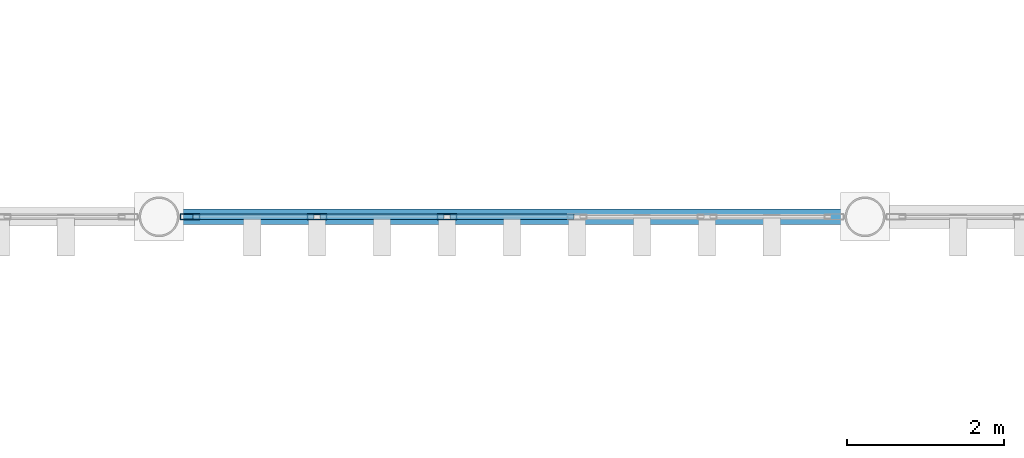
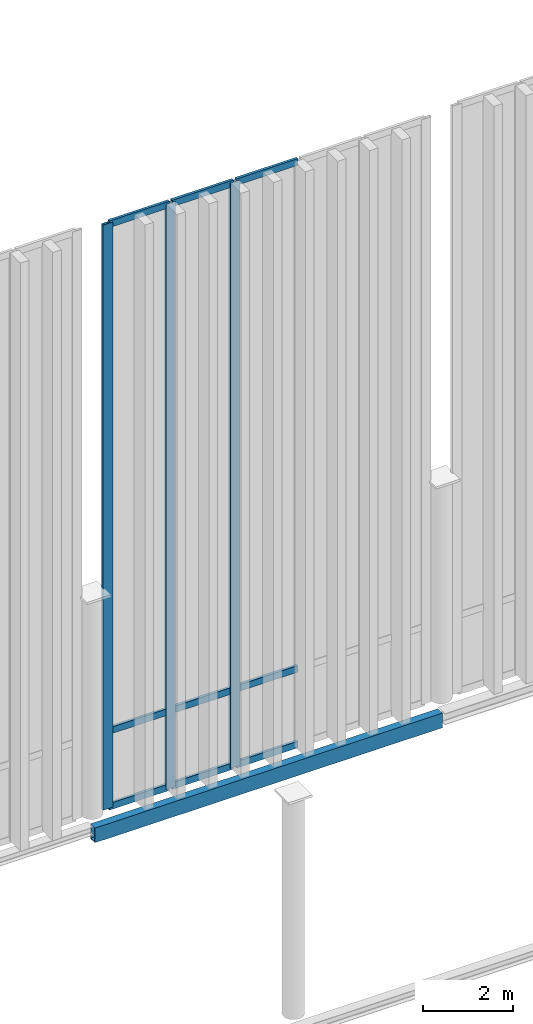
# One storey, part 36 of 237: 12 members, 1 beam, 1 element without a shape of its own.
"""IFC4 building model written with IfcOpenShell, lengths in metres."""

from ifc_helpers import new_model, si_unit, direction, frame, origin, origin_2d, place, context, subcontext, project, spatial, hollow_rectangle, extrude, material, layer, layer_set, material_profile, profile_set, type_object, element, aggregate, save


model = new_model("IFC4")

# Units and contexts
model_context = context("Model", 3, precision=1e-05, world=origin(), true_north=direction((0.0, 1.0)))
body_context = subcontext(model_context, "Body", "Model", "MODEL_VIEW")
ifc_project = project(units=[si_unit("LENGTHUNIT", "METRE"), si_unit("AREAUNIT", "SQUARE_METRE"), si_unit("VOLUMEUNIT", "CUBIC_METRE"), si_unit("PLANEANGLEUNIT", "RADIAN"), si_unit("MASSUNIT", "GRAM", prefix="KILO")], contexts=[model_context])

# Site, building, storey
site_placement = place(None, origin())
site = spatial("IfcSite", under=ifc_project, at=site_placement, CompositionType="ELEMENT")
building_placement = place(site_placement, origin())
building = spatial("IfcBuilding", under=site, at=building_placement, Name="Barlavento Convention Centre", CompositionType="ELEMENT")
storey_placement = place(building_placement, frame((0.0, 0.0, 12.0)))
storey = spatial("IfcBuildingStorey", under=building, at=storey_placement, Name="L02", CompositionType="ELEMENT", Elevation=12.0)

# Curtain wall, members
ifc_material_1 = material(Name="Powder-coated aluminium and Low-E glass", Category="aluminium")
ifc_layer = layer(ifc_material_1, 0.18994140625)
ifc_layer_set = layer_set([ifc_layer], Name="ARC-CW-CONG-L02")
curtain_wall_type = type_object("IfcCurtainWallType", Name="ARC-CW-CONG-L02", PredefinedType="NOTDEFINED", material=ifc_layer_set)
curtain_wall_placement = place(storey_placement, origin())
curtain_wall = element("IfcCurtainWall", 1, at=curtain_wall_placement, inside=storey, type_object=curtain_wall_type, Name="L02 unitised curtain wall CW02", PredefinedType="NOTDEFINED")
ifc_material_2 = material(Name="Powder-coated aluminium", Category="aluminium")
ifc_material_profile_1 = material_profile(ifc_material_2, hollow_rectangle(XDim=0.074951171875, YDim=0.25, WallThickness=0.006103515625, at=origin_2d()), Name="AL-MULL 75x250x6")
ifc_profile_set_1 = profile_set([ifc_material_profile_1], Name="Powder-coated aluminium")
member_type_1 = type_object("IfcMemberType", Name="ARC-CWM-75X250", PredefinedType="MULLION", material=ifc_profile_set_1)
member_1_placement = place(storey_placement, frame((27.396484375, 9.0, 0.0), z_axis=(0.0, 0.0, 1.0), x_axis=(0.0, 1.0, 0.0)))
member_1 = element("IfcMember", 2, at=member_1_placement, type_object=member_type_1, Name="CW02 mullion 1", PredefinedType="MULLION", context=body_context, shape_type="SweptSolid", body=[
    extrude(hollow_rectangle(XDim=0.074951171875, YDim=0.25, WallThickness=0.006103515625, at=origin_2d()), origin(), (0.0, 0.0, 1.0), 15.949951171875),
])
member_2_placement = place(storey_placement, frame((29.015380859375, 9.0, 0.0), z_axis=(0.0, 0.0, 1.0), x_axis=(0.0, 1.0, 0.0)))
member_2 = element("IfcMember", 3, at=member_2_placement, type_object=member_type_1, Name="CW02 mullion 2", PredefinedType="MULLION", context=body_context, shape_type="SweptSolid", body=[
    extrude(hollow_rectangle(XDim=0.074951171875, YDim=0.25, WallThickness=0.006103515625, at=origin_2d()), origin(), (0.0, 0.0, 1.0), 15.949951171875),
])
member_3_placement = place(storey_placement, frame((30.671875, 9.0, 0.0), z_axis=(0.0, 0.0, 1.0), x_axis=(0.0, 1.0, 0.0)))
member_3 = element("IfcMember", 4, at=member_3_placement, type_object=member_type_1, Name="CW02 mullion 3", PredefinedType="MULLION", context=body_context, shape_type="SweptSolid", body=[
    extrude(hollow_rectangle(XDim=0.074951171875, YDim=0.25, WallThickness=0.006103515625, at=origin_2d()), origin(), (0.0, 0.0, 1.0), 15.949951171875),
])
ifc_material_profile_2 = material_profile(ifc_material_2, hollow_rectangle(XDim=0.070068359375, YDim=0.179931640625, WallThickness=0.0048828125, at=origin_2d()), Name="AL-TRAN 70x180x5")
ifc_profile_set_2 = profile_set([ifc_material_profile_2], Name="Powder-coated aluminium")
member_type_2 = type_object("IfcMemberType", Name="ARC-CWT-70X180", PredefinedType="USERDEFINED", material=ifc_profile_set_2)
member_4_placement = place(storey_placement, frame((27.43408203125, 9.0, 0.034912109375), z_axis=(1.0, 0.0, 0.0), x_axis=(0.0, 1.0, 0.0)))
member_4 = element("IfcMember", 5, at=member_4_placement, type_object=member_type_2, Name="CW02 transom 1.1", ObjectType="TRANSOM", PredefinedType="USERDEFINED", context=body_context, shape_type="SweptSolid", body=[
    extrude(hollow_rectangle(XDim=0.070068359375, YDim=0.179931640625, WallThickness=0.0048828125, at=origin_2d()), origin(), (0.0, 0.0, 1.0), 1.543701171875),
])
member_5_placement = place(storey_placement, frame((27.43408203125, 9.0, 2.10009765625), z_axis=(1.0, 0.0, 0.0), x_axis=(0.0, 1.0, 0.0)))
member_5 = element("IfcMember", 6, at=member_5_placement, type_object=member_type_2, Name="CW02 transom 1.2", ObjectType="TRANSOM", PredefinedType="USERDEFINED", context=body_context, shape_type="SweptSolid", body=[
    extrude(hollow_rectangle(XDim=0.070068359375, YDim=0.179931640625, WallThickness=0.0048828125, at=origin_2d()), origin(), (0.0, 0.0, 1.0), 1.543701171875),
])
member_6_placement = place(storey_placement, frame((27.43408203125, 9.0, 15.9150390625), z_axis=(1.0, 0.0, 0.0), x_axis=(0.0, 1.0, 0.0)))
member_6 = element("IfcMember", 7, at=member_6_placement, type_object=member_type_2, Name="CW02 transom 1.3", ObjectType="TRANSOM", PredefinedType="USERDEFINED", context=body_context, shape_type="SweptSolid", body=[
    extrude(hollow_rectangle(XDim=0.070068359375, YDim=0.179931640625, WallThickness=0.0048828125, at=origin_2d()), origin(), (0.0, 0.0, 1.0), 1.543701171875),
])
member_7_placement = place(storey_placement, frame((29.052978515625, 9.0, 0.034912109375), z_axis=(1.0, 0.0, 0.0), x_axis=(0.0, 1.0, 0.0)))
member_7 = element("IfcMember", 8, at=member_7_placement, type_object=member_type_2, Name="CW02 transom 2.1", ObjectType="TRANSOM", PredefinedType="USERDEFINED", context=body_context, shape_type="SweptSolid", body=[
    extrude(hollow_rectangle(XDim=0.070068359375, YDim=0.179931640625, WallThickness=0.0048828125, at=origin_2d()), origin(), (0.0, 0.0, 1.0), 1.581298828125),
])
member_8_placement = place(storey_placement, frame((29.052978515625, 9.0, 2.10009765625), z_axis=(1.0, 0.0, 0.0), x_axis=(0.0, 1.0, 0.0)))
member_8 = element("IfcMember", 9, at=member_8_placement, type_object=member_type_2, Name="CW02 transom 2.2", ObjectType="TRANSOM", PredefinedType="USERDEFINED", context=body_context, shape_type="SweptSolid", body=[
    extrude(hollow_rectangle(XDim=0.070068359375, YDim=0.179931640625, WallThickness=0.0048828125, at=origin_2d()), origin(), (0.0, 0.0, 1.0), 1.581298828125),
])
member_9_placement = place(storey_placement, frame((29.052978515625, 9.0, 15.9150390625), z_axis=(1.0, 0.0, 0.0), x_axis=(0.0, 1.0, 0.0)))
member_9 = element("IfcMember", 10, at=member_9_placement, type_object=member_type_2, Name="CW02 transom 2.3", ObjectType="TRANSOM", PredefinedType="USERDEFINED", context=body_context, shape_type="SweptSolid", body=[
    extrude(hollow_rectangle(XDim=0.070068359375, YDim=0.179931640625, WallThickness=0.0048828125, at=origin_2d()), origin(), (0.0, 0.0, 1.0), 1.581298828125),
])
member_10_placement = place(storey_placement, frame((30.709228515625, 9.0, 0.034912109375), z_axis=(1.0, 0.0, 0.0), x_axis=(0.0, 1.0, 0.0)))
member_10 = element("IfcMember", 11, at=member_10_placement, type_object=member_type_2, Name="CW02 transom 3.1", ObjectType="TRANSOM", PredefinedType="USERDEFINED", context=body_context, shape_type="SweptSolid", body=[
    extrude(hollow_rectangle(XDim=0.070068359375, YDim=0.179931640625, WallThickness=0.0048828125, at=origin_2d()), origin(), (0.0, 0.0, 1.0), 1.58154296875),
])
member_11_placement = place(storey_placement, frame((30.709228515625, 9.0, 2.10009765625), z_axis=(1.0, 0.0, 0.0), x_axis=(0.0, 1.0, 0.0)))
member_11 = element("IfcMember", 12, at=member_11_placement, type_object=member_type_2, Name="CW02 transom 3.2", ObjectType="TRANSOM", PredefinedType="USERDEFINED", context=body_context, shape_type="SweptSolid", body=[
    extrude(hollow_rectangle(XDim=0.070068359375, YDim=0.179931640625, WallThickness=0.0048828125, at=origin_2d()), origin(), (0.0, 0.0, 1.0), 1.58154296875),
])
member_12_placement = place(storey_placement, frame((30.709228515625, 9.0, 15.9150390625), z_axis=(1.0, 0.0, 0.0), x_axis=(0.0, 1.0, 0.0)))
member_12 = element("IfcMember", 13, at=member_12_placement, type_object=member_type_2, Name="CW02 transom 3.3", ObjectType="TRANSOM", PredefinedType="USERDEFINED", context=body_context, shape_type="SweptSolid", body=[
    extrude(hollow_rectangle(XDim=0.070068359375, YDim=0.179931640625, WallThickness=0.0048828125, at=origin_2d()), origin(), (0.0, 0.0, 1.0), 1.58154296875),
])
aggregate(curtain_wall, [member_1, member_2, member_3, member_4, member_5, member_6, member_7, member_8, member_9, member_10, member_11, member_12])

# Beam
ifc_material_3 = material(Name="Steel S355", Category="steel")
ifc_material_profile_3 = material_profile(ifc_material_3, hollow_rectangle(XDim=0.199951171875, YDim=0.39990234375, WallThickness=0.01611328125, at=origin_2d()), Name="RHS 400x200x16.0")
ifc_profile_set_3 = profile_set([ifc_material_profile_3], Name="Steel S355")
beam_type = type_object("IfcBeamType", Name="STR-BM-SPN-RHS400", PredefinedType="SPANDREL", material=ifc_profile_set_3)
beam_placement = place(storey_placement, frame((27.02001953125, 9.0, -0.56005859375), z_axis=(1.0, 0.0, 0.0), x_axis=(0.0, 1.0, 0.0)))
element("IfcBeam", 14, at=beam_placement, inside=storey, type_object=beam_type, Name="L02 primary girder SP06", PredefinedType="SPANDREL", context=body_context, shape_type="SweptSolid", body=[
    extrude(hollow_rectangle(XDim=0.199951171875, YDim=0.39990234375, WallThickness=0.01611328125, at=origin_2d()), origin(), (0.0, 0.0, 1.0), 8.9599609375),
])

save(model, "model.ifc")
